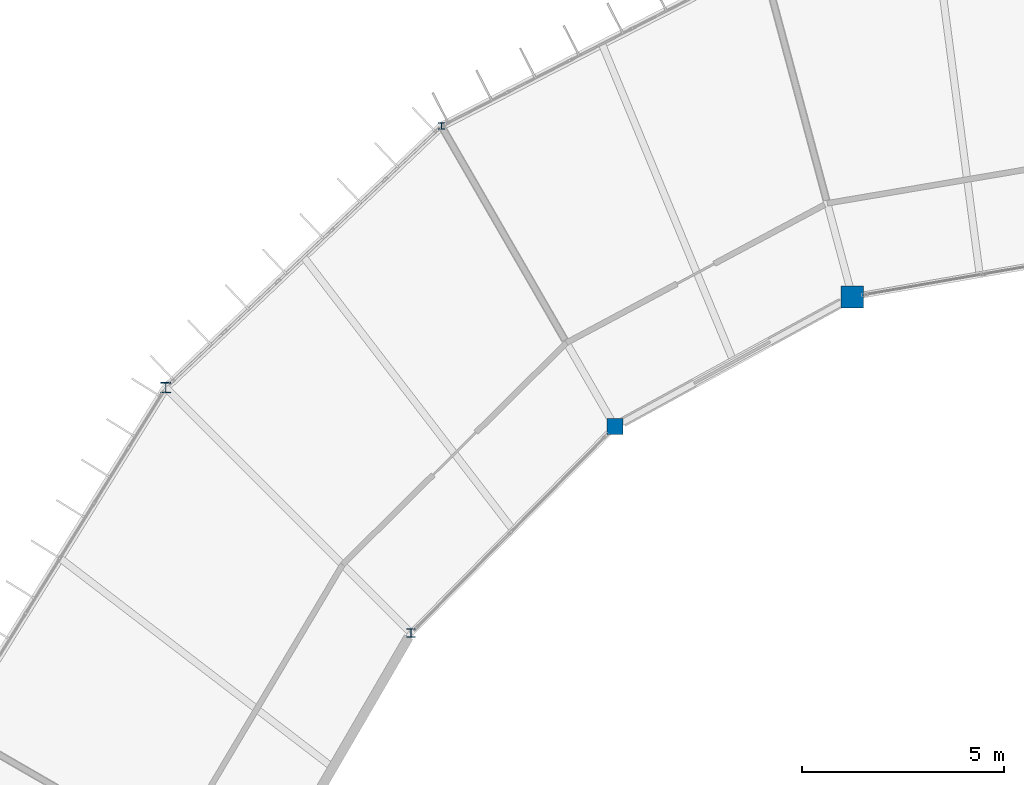
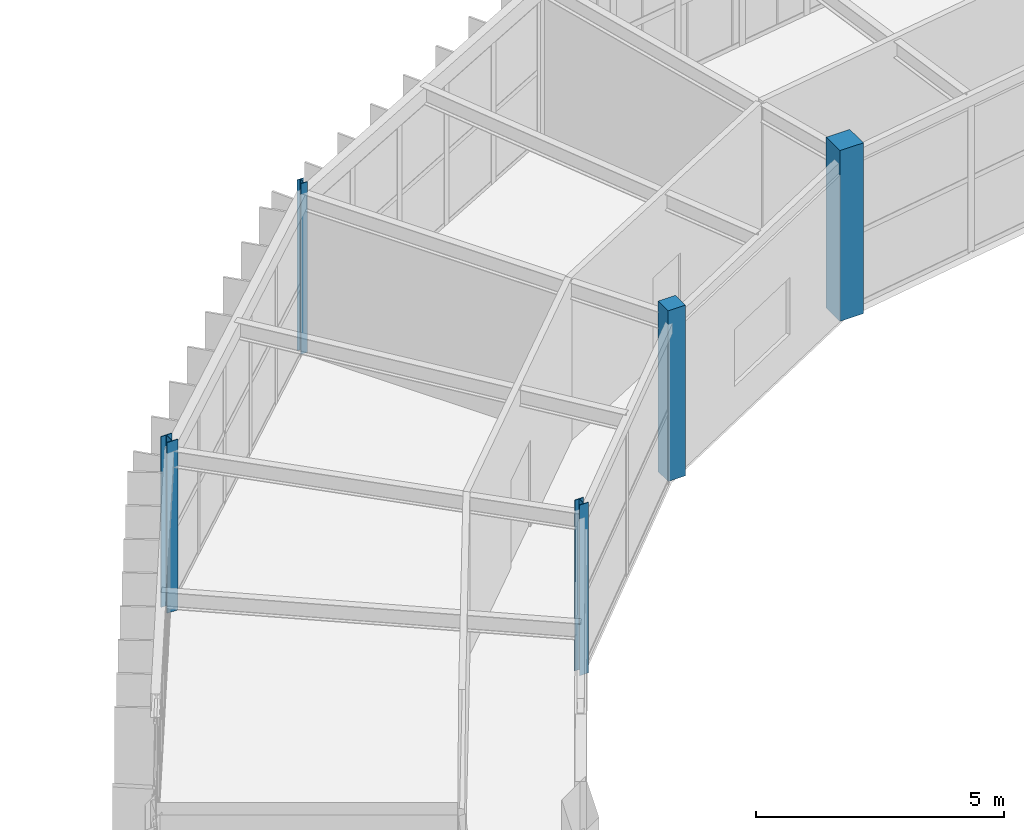
# One storey, part 10 of 106: 5 columns.
"""IFC4 building model written with IfcOpenShell, lengths in metres."""

from ifc_helpers import new_model, si_unit, direction, frame, origin, origin_2d, place, context, subcontext, project, spatial, rectangle, i_section, extrude, material, material_profile, profile_set, type_object, element, save


model = new_model("IFC4")

# Units and contexts
model_context = context("Model", 3, precision=1e-05, world=origin(), true_north=direction((0.0, 1.0)))
body_context = subcontext(model_context, "Body", "Model", "MODEL_VIEW")
ifc_project = project(units=[si_unit("LENGTHUNIT", "METRE"), si_unit("AREAUNIT", "SQUARE_METRE"), si_unit("VOLUMEUNIT", "CUBIC_METRE"), si_unit("PLANEANGLEUNIT", "RADIAN"), si_unit("MASSUNIT", "GRAM", prefix="KILO")], contexts=[model_context])

# Site, building, storey
site_placement = place(None, origin())
site = spatial("IfcSite", under=ifc_project, at=site_placement, CompositionType="ELEMENT")
building_placement = place(site_placement, origin())
building = spatial("IfcBuilding", under=site, at=building_placement, Name="Karori Crest Natural Sciences Institute", CompositionType="ELEMENT")
storey_placement = place(building_placement, frame((0.0, 0.0, 25.89990234375)))
storey = spatial("IfcBuildingStorey", under=building, at=storey_placement, Name="L06", CompositionType="ELEMENT", Elevation=25.89990234375)

# Columns
ifc_material_1 = material(Name="Structural steel AS/NZS 3679.1 Grade 350", Category="steel")
ifc_material_profile_1 = material_profile(ifc_material_1, i_section(OverallWidth=0.256103515625, OverallDepth=0.260009765625, WebThickness=0.010498046875, FlangeThickness=0.017333984375, FilletRadius=0.013916015625, at=origin_2d()), Name="250UC89.5")
ifc_profile_set_1 = profile_set([ifc_material_profile_1], Name="Structural steel AS/NZS 3679.1 Grade 350")
column_type_1 = type_object("IfcColumnType", Name="CT-06", PredefinedType="COLUMN", material=ifc_profile_set_1)
column_1_placement = place(storey_placement, frame((43.0654296875, 78.75, 0.0), z_axis=(0.0, 0.0, 1.0), x_axis=(1.0, 0.0, 0.0)))
element("IfcColumn", 1, at=column_1_placement, inside=storey, type_object=column_type_1, Name="Column C-0171", PredefinedType="COLUMN", context=body_context, shape_type="SweptSolid", body=[
    extrude(i_section(OverallWidth=0.256103515625, OverallDepth=0.260009765625, WebThickness=0.010498046875, FlangeThickness=0.017333984375, FilletRadius=0.013916015625, at=origin_2d()), origin(), (0.0, 0.0, 1.0), 4.2001953125),
])
ifc_material_profile_2 = material_profile(ifc_material_1, i_section(OverallWidth=0.205078125, OverallDepth=0.2099609375, WebThickness=0.00927734375, FlangeThickness=0.01416015625, FilletRadius=0.010986328125, at=origin_2d()), Name="200UC59.5")
ifc_profile_set_2 = profile_set([ifc_material_profile_2], Name="Structural steel AS/NZS 3679.1 Grade 350")
column_type_2 = type_object("IfcColumnType", Name="CT-08", PredefinedType="COLUMN", material=ifc_profile_set_2)
column_2_placement = place(storey_placement, frame((49.146484375, 72.668701171875, 0.0), z_axis=(0.0, 0.0, 1.0), x_axis=(1.0, 0.0, 0.0)))
element("IfcColumn", 2, at=column_2_placement, inside=storey, type_object=column_type_2, Name="Column C-0172", PredefinedType="COLUMN", context=body_context, shape_type="SweptSolid", body=[
    extrude(i_section(OverallWidth=0.205078125, OverallDepth=0.2099609375, WebThickness=0.00927734375, FlangeThickness=0.01416015625, FilletRadius=0.010986328125, at=origin_2d()), origin(), (0.0, 0.0, 1.0), 4.2001953125),
])
ifc_material_profile_3 = material_profile(ifc_material_1, i_section(OverallWidth=0.154052734375, OverallDepth=0.162109375, WebThickness=0.008056640625, FlangeThickness=0.011474609375, FilletRadius=0.009033203125, at=origin_2d()), Name="150UC37.2")
ifc_profile_set_3 = profile_set([ifc_material_profile_3], Name="Structural steel AS/NZS 3679.1 Grade 350")
column_type_3 = type_object("IfcColumnType", Name="CT-26", PredefinedType="COLUMN", material=ifc_profile_set_3)
column_3_placement = place(storey_placement, frame((49.89990234375, 85.23388671875, 0.0), z_axis=(0.0, 0.0, 1.0), x_axis=(1.0, 0.0, 0.0)))
element("IfcColumn", 3, at=column_3_placement, inside=storey, type_object=column_type_3, Name="Column C-0155", PredefinedType="COLUMN", context=body_context, shape_type="SweptSolid", body=[
    extrude(i_section(OverallWidth=0.154052734375, OverallDepth=0.162109375, WebThickness=0.008056640625, FlangeThickness=0.011474609375, FilletRadius=0.009033203125, at=origin_2d()), origin(), (0.0, 0.0, 1.0), 4.2001953125),
])
ifc_material_2 = material(Name="Concrete 50 MPa", Category="concrete")
ifc_material_profile_4 = material_profile(ifc_material_2, rectangle(XDim=0.550048828125, YDim=0.550048828125, at=origin_2d()), Name="RC550x550")
ifc_profile_set_4 = profile_set([ifc_material_profile_4], Name="Concrete 50 MPa")
column_type_4 = type_object("IfcColumnType", Name="CT-30", PredefinedType="COLUMN", material=ifc_profile_set_4)
column_4_placement = place(storey_placement, frame((60.084716796875, 81.002685546875, 0.0), z_axis=(0.0, 0.0, 1.0), x_axis=(1.0, 0.0, 0.0)))
element("IfcColumn", 4, at=column_4_placement, inside=storey, type_object=column_type_4, Name="Column C-0140", PredefinedType="COLUMN", context=body_context, shape_type="SweptSolid", body=[
    extrude(rectangle(XDim=0.550048828125, YDim=0.550048828125, at=origin_2d()), origin(), (0.0, 0.0, 1.0), 4.2001953125),
])
ifc_material_profile_5 = material_profile(ifc_material_2, rectangle(XDim=0.39990234375, YDim=0.39990234375, at=origin_2d()), Name="RC400x400")
ifc_profile_set_5 = profile_set([ifc_material_profile_5], Name="Concrete 50 MPa")
column_type_5 = type_object("IfcColumnType", Name="CT-31", PredefinedType="PILASTER", material=ifc_profile_set_5)
column_5_placement = place(storey_placement, frame((54.199951171875, 77.785888671875, 0.0), z_axis=(0.0, 0.0, 1.0), x_axis=(1.0, 0.0, 0.0)))
element("IfcColumn", 5, at=column_5_placement, inside=storey, type_object=column_type_5, Name="Column C-0156", PredefinedType="PILASTER", context=body_context, shape_type="SweptSolid", body=[
    extrude(rectangle(XDim=0.39990234375, YDim=0.39990234375, at=origin_2d()), origin(), (0.0, 0.0, 1.0), 4.2001953125),
])

save(model, "model.ifc")
